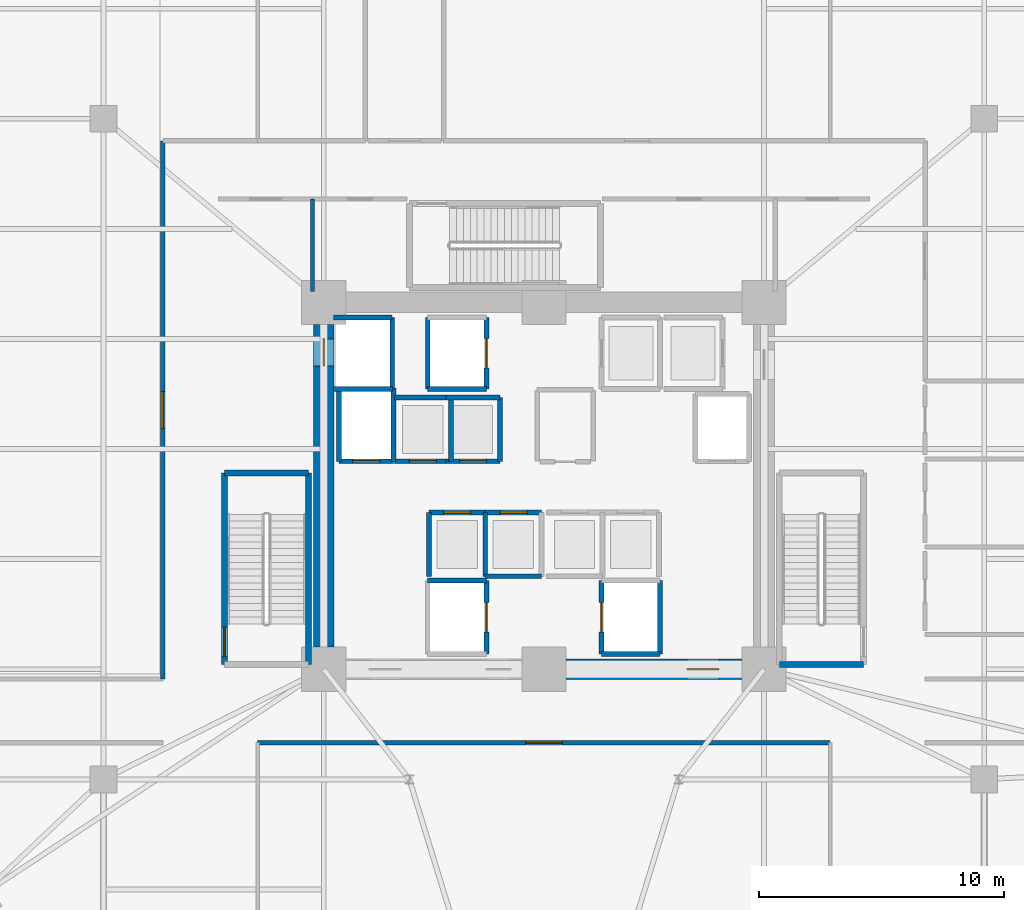
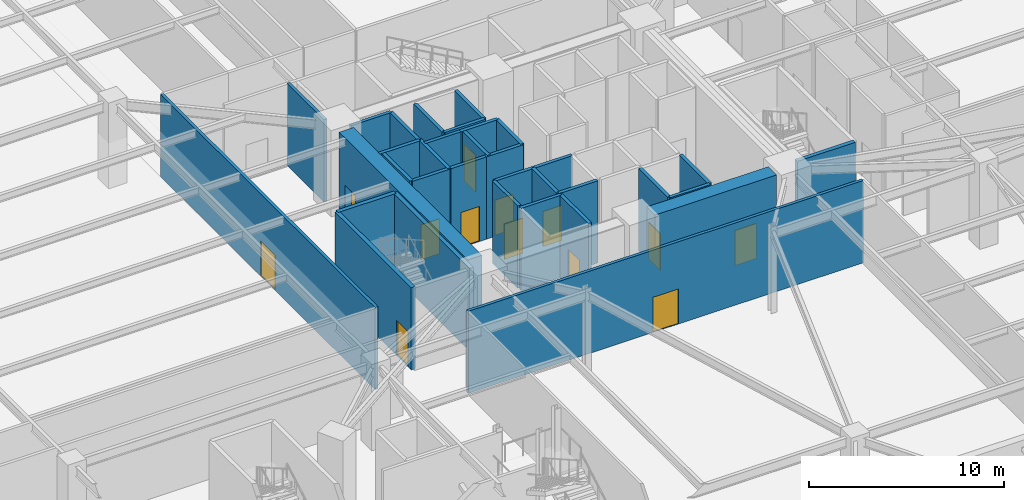
# One storey, part 18 of 30: 34 walls, 13 doors, 13 openings.
"""IFC4 building model written with IfcOpenShell, lengths in metres."""

import ifcopenshell
import ifcopenshell.guid

model = None  # the IFC model being written
_history = None  # IfcOwnerHistory: only IFC2X3 demands one
_inside = {}  # id of a spatial element -> (the spatial element, [elements in it])
_under = {}  # id of a project, library or spatial element -> (it, [spatial elements below it])
_declared = {}  # id of a project -> (the project, [libraries it declares])
_typed = {}  # id of a type object -> (the type object, [elements of that type])
_made_of = {}  # id of a material, layer set ... -> (it, [elements and type objects made of it])


def new_model(schema):
    """Start an empty IFC model of exactly this schema.

    Asked for "IFC4X3", IfcOpenShell would pick the latest addendum, in which some entities
    have other attributes; the version numbers below select the first issue.
    IFC2X3 requires an IfcOwnerHistory on every rooted entity: one is made here for all.
    """
    global model, _history
    if schema == "IFC4X3":
        model = ifcopenshell.file(schema_version=(4, 3, 0, 0))
    else:
        model = ifcopenshell.file(schema=schema)
    _inside.clear()
    _under.clear()
    _declared.clear()
    _typed.clear()
    _made_of.clear()
    _history = None
    if model.schema == "IFC2X3":
        org = make("IfcOrganization", Name="unknown")
        user = make(
            "IfcPersonAndOrganization",
            ThePerson=make("IfcPerson", FamilyName="unknown"),
            TheOrganization=org,
        )
        app = make(
            "IfcApplication",
            ApplicationDeveloper=org,
            Version="unknown",
            ApplicationFullName="unknown",
            ApplicationIdentifier="unknown",
        )
        _history = make(
            "IfcOwnerHistory",
            OwningUser=user,
            OwningApplication=app,
            ChangeAction="ADDED",
            CreationDate=0,
        )
    return model


def make(cls, **values):
    """One entity of the class cls with the attributes given. An attribute that is None is left unset."""
    return model.create_entity(
        cls, **{name: value for name, value in values.items() if value is not None}
    )


def rooted(cls, **values):
    """An entity with a GlobalId (a new one), such as an element, a storey or a relation."""
    return make(cls, GlobalId=ifcopenshell.guid.new(), OwnerHistory=_history, **values)


def si_unit(unit_type, name, prefix=None):
    """IfcSIUnit, for example si_unit("LENGTHUNIT", "METRE", prefix="MILLI")."""
    return make("IfcSIUnit", UnitType=unit_type, Prefix=prefix, Name=name)


def assignment(units):
    """IfcUnitAssignment: the units of a project."""
    return None if units is None else make("IfcUnitAssignment", Units=units)


def point(xyz):
    """IfcCartesianPoint."""
    return None if xyz is None else make("IfcCartesianPoint", Coordinates=xyz)


def direction(xyz):
    """IfcDirection."""
    return None if xyz is None else make("IfcDirection", DirectionRatios=xyz)


def frame(location, z_axis=None, x_axis=None):
    """IfcAxis2Placement3D, a coordinate frame: its origin and axes. An axis left out is left unset."""
    return make(
        "IfcAxis2Placement3D",
        Location=point(location),
        Axis=direction(z_axis),
        RefDirection=direction(x_axis),
    )


def frame_2d(location, x_axis=None):
    """IfcAxis2Placement2D, a coordinate frame in the plane: its origin and x axis."""
    return make(
        "IfcAxis2Placement2D", Location=point(location), RefDirection=direction(x_axis)
    )


def origin():
    """The frame at (0, 0, 0) with its axes left unset."""
    return frame((0.0, 0.0, 0.0))


def place(relative_to, where):
    """IfcLocalPlacement: puts the frame where relative to a parent placement (None: the world)."""
    return make(
        "IfcLocalPlacement", PlacementRelTo=relative_to, RelativePlacement=where
    )


def context(
    kind, dimensions, precision=None, world=None, true_north=None, identifier=None
):
    """IfcGeometricRepresentationContext, for example the 3D "Model" context."""
    return make(
        "IfcGeometricRepresentationContext",
        ContextIdentifier=identifier,
        ContextType=kind,
        CoordinateSpaceDimension=dimensions,
        Precision=precision,
        WorldCoordinateSystem=world,
        TrueNorth=true_north,
    )


def subcontext(parent, identifier, kind, view, scale=None):
    """IfcGeometricRepresentationSubContext, for example "Body" below "Model"."""
    return make(
        "IfcGeometricRepresentationSubContext",
        ContextIdentifier=identifier,
        ContextType=kind,
        ParentContext=parent,
        TargetScale=scale,
        TargetView=view,
    )


def project(units=None, contexts=None):
    """IfcProject with its units and contexts."""
    return rooted(
        "IfcProject",
        Name="project",
        RepresentationContexts=contexts,
        UnitsInContext=assignment(units),
    )


def spatial(cls, under=None, at=None, **own):
    """A site, building, storey or space (cls), placed at a placement, below another one or the project."""
    s = rooted(cls, ObjectPlacement=at, **own)
    if under is not None:
        _under.setdefault(under.id(), (under, []))[1].append(s)
    return s


def profile(cls, at=None, kind="AREA", **sizes):
    """A parametric profile (cls). Its sizes go by their IFC names, for example OverallWidth=200.0."""
    return make(cls, ProfileType=kind, Position=at, **sizes)


def rectangle(**sizes):
    """IfcRectangleProfileDef."""
    return profile("IfcRectangleProfileDef", **sizes)


def extrude(swept, where, along, depth):
    """IfcExtrudedAreaSolid: the profile swept, set in the frame where, extruded along a direction by depth."""
    return make(
        "IfcExtrudedAreaSolid",
        SweptArea=swept,
        Position=where,
        ExtrudedDirection=direction(along),
        Depth=depth,
    )


def shape(context_of_items, identifier, shape_type, items):
    """IfcShapeRepresentation: the items that make up one representation, for example the "Body"."""
    return make(
        "IfcShapeRepresentation",
        ContextOfItems=context_of_items,
        RepresentationIdentifier=identifier,
        RepresentationType=shape_type,
        Items=items,
    )


def source(mapping_origin, context_of_items, identifier, shape_type, items):
    """IfcRepresentationMap: a shape defined once, which mapped items show again and again."""
    return make(
        "IfcRepresentationMap",
        MappingOrigin=mapping_origin,
        MappedRepresentation=shape(context_of_items, identifier, shape_type, items),
    )


def transform(
    local_origin,
    x_axis=None,
    y_axis=None,
    z_axis=None,
    scale=None,
    scale2=None,
    scale3=None,
    uniform=True,
):
    """IfcCartesianTransformationOperator3D, or its non-uniform kind. x_axis, y_axis, z_axis: its Axis1, 2, 3."""
    if uniform:
        return make(
            "IfcCartesianTransformationOperator3D",
            Axis1=direction(x_axis),
            Axis2=direction(y_axis),
            LocalOrigin=point(local_origin),
            Scale=scale,
            Axis3=direction(z_axis),
        )
    return make(
        "IfcCartesianTransformationOperator3DnonUniform",
        Axis1=direction(x_axis),
        Axis2=direction(y_axis),
        LocalOrigin=point(local_origin),
        Scale=scale,
        Axis3=direction(z_axis),
        Scale2=scale2,
        Scale3=scale3,
    )


def mapped(mapping_source, mapping_target):
    """IfcMappedItem: shows the shape of a source again, moved by a transform."""
    return make(
        "IfcMappedItem", MappingSource=mapping_source, MappingTarget=mapping_target
    )


def material(Name=None, Category=None):
    """IfcMaterial."""
    return make("IfcMaterial", Name=Name, Category=Category)


def layer(
    of_material, thickness, ventilated=None, Name=None, Category=None, Priority=None
):
    """IfcMaterialLayer: one layer of a wall or slab, of a material (None: an air gap)."""
    return make(
        "IfcMaterialLayer",
        Material=of_material,
        LayerThickness=thickness,
        IsVentilated=ventilated,
        Name=Name,
        Category=Category,
        Priority=Priority,
    )


def layer_set(layers, Name=None):
    """IfcMaterialLayerSet."""
    return make("IfcMaterialLayerSet", MaterialLayers=layers, LayerSetName=Name)


def made_of(thing, what):
    """Note that an element or type object is made of a material, layer set ...; save() writes the relation."""
    if what is not None:
        _made_of.setdefault(what.id(), (what, []))[1].append(thing)
    return thing


def type_object(cls, material=None, **own):
    """A type object (cls), such as IfcWallType, which elements share."""
    return made_of(rooted(cls, **own), material)


def element(
    cls,
    number,
    at=None,
    inside=None,
    cuts=None,
    type_object=None,
    material=None,
    context=None,
    identifier="Body",
    shape_type=None,
    held_by="IfcProductDefinitionShape",
    body=None,
    shapes=None,
    **own,
):
    """One element of the class cls, such as IfcWall. Its Tag is "e" and its number.

    at: its placement. inside: the storey or other place that contains it. cuts: it is an
    opening in that element (IfcRelVoidsElement). A single representation is given by context,
    identifier, shape_type and body (its items); several are given by shapes. held_by: the class
    of the entity that holds the representations. save() writes the other relations.
    """
    e = rooted(cls, Tag="e%d" % number, ObjectPlacement=at, **own)
    if body is not None:
        shapes = [shape(context, identifier, shape_type, body)]
    if shapes is not None:
        e.Representation = make(held_by, Representations=shapes)
    if inside is not None:
        _inside.setdefault(inside.id(), (inside, []))[1].append(e)
    if cuts is not None:
        rooted(
            "IfcRelVoidsElement", RelatingBuildingElement=cuts, RelatedOpeningElement=e
        )
    if type_object is not None:
        _typed.setdefault(type_object.id(), (type_object, []))[1].append(e)
    return made_of(e, material)


def fill(opening, filler):
    """IfcRelFillsElement: the door or window that sits in an opening."""
    return rooted(
        "IfcRelFillsElement",
        RelatingOpeningElement=opening,
        RelatedBuildingElement=filler,
    )


def aggregate(whole, parts):
    """IfcRelAggregates: a whole, such as a stair, and the parts it consists of."""
    return rooted("IfcRelAggregates", RelatingObject=whole, RelatedObjects=parts)


def save(model, path):
    """Write the relations noted so far, then the file.

    IfcRelAggregates (storeys below a building ...), IfcRelContainedInSpatialStructure (elements
    in a storey), IfcRelDefinesByType, IfcRelAssociatesMaterial and IfcRelDeclares: one each for
    every whole, place, type object, material and project.
    """
    for whole, parts in _under.values():
        aggregate(whole, parts)
    for where, things in _inside.values():
        rooted(
            "IfcRelContainedInSpatialStructure",
            RelatedElements=things,
            RelatingStructure=where,
        )
    for kind, things in _typed.values():
        rooted("IfcRelDefinesByType", RelatedObjects=things, RelatingType=kind)
    for what, things in _made_of.values():
        rooted("IfcRelAssociatesMaterial", RelatedObjects=things, RelatingMaterial=what)
    for by, libraries in _declared.values():
        rooted("IfcRelDeclares", RelatingContext=by, RelatedDefinitions=libraries)
    model.write(path)


model = new_model("IFC4")

# Units and contexts
model_context = context("Model", 3, precision=1e-05, world=origin(), true_north=direction((0.0, 1.0)))
body_context = subcontext(model_context, "Body", "Model", "MODEL_VIEW")
ifc_project = project(units=[si_unit("LENGTHUNIT", "METRE"), si_unit("AREAUNIT", "SQUARE_METRE"), si_unit("VOLUMEUNIT", "CUBIC_METRE"), si_unit("PLANEANGLEUNIT", "RADIAN"), si_unit("MASSUNIT", "GRAM", prefix="KILO")], contexts=[model_context])

# Site, building, storey
site_placement = place(None, origin())
site = spatial("IfcSite", under=ifc_project, at=site_placement, CompositionType="ELEMENT")
building_placement = place(site_placement, origin())
building = spatial("IfcBuilding", under=site, at=building_placement, Name="Liaohun Quay Tower", CompositionType="ELEMENT")
storey_placement = place(building_placement, origin())
storey = spatial("IfcBuildingStorey", under=building, at=storey_placement, Name="L01", CompositionType="ELEMENT", Elevation=0.0)

# Wall, opening, door
ifc_material_1 = material(Name="Concrete C60", Category="concrete")
ifc_layer_1 = layer(ifc_material_1, 0.85009765625, Name="Concrete C60", Category="concrete")
ifc_layer_set_1 = layer_set([ifc_layer_1], Name="Concrete C60")
wall_type_1 = type_object("IfcWallType", Name="WAL-COR-Z1", PredefinedType="SHEAR", material=ifc_layer_set_1)
wall_1_placement = place(storey_placement, frame((68.10009765625, 46.5, 0.0), z_axis=(0.0, 0.0, 1.0), x_axis=(-1.0, 0.0, 0.0)))
wall_1 = element("IfcWall", 1, at=wall_1_placement, inside=storey, type_object=wall_type_1, Name="L01 Central Core Shear Wall S-E", PredefinedType="SHEAR", context=body_context, shape_type="SweptSolid", body=[
    extrude(rectangle(XDim=7.2001953125, YDim=0.85009765625, at=frame_2d((3.60009765625, 0.0))), origin(), (0.0, 0.0, 1.0), 5.14990234375),
])
shared_shape_1 = source(origin(), body_context, "Body", "SweptSolid", [
    extrude(rectangle(XDim=1.300048828125, YDim=2.199951171875, at=frame_2d((0.64990234375, 1.10009765625))), frame((0.0, 0.43505859375, 0.0), z_axis=(0.0, -1.0, 0.0), x_axis=(1.0, 0.0, 0.0)), (0.0, 0.0, 1.0), 0.8701171875),
])
opening_1_placement = place(wall_1_placement, frame((0.949951171875, 0.0, 0.0)))
opening_1 = element("IfcOpeningElement", 2, at=opening_1_placement, cuts=wall_1, Name="Opening FD1", PredefinedType="OPENING", context=body_context, shape_type="MappedRepresentation", body=[
    mapped(shared_shape_1, transform((0.0, 0.0, 0.0), x_axis=(1.0, 0.0, 0.0), y_axis=(0.0, 1.0, 0.0), z_axis=(0.0, 0.0, 1.0), scale=1.0)),
])
ifc_material_2 = material(Name="Galvanised steel smokeproof fire door", Category="steel")
door_type_1 = type_object("IfcDoorType", Name="DOR-FFL-1300", OperationType="NOTDEFINED", PredefinedType="DOOR", material=ifc_material_2)
shared_shape_2 = source(origin(), body_context, "Body", "SweptSolid", [
    extrude(rectangle(XDim=1.300048828125, YDim=2.199951171875, at=frame_2d((0.64990234375, 1.10009765625))), frame((0.0, 0.02490234375, 0.0), z_axis=(0.0, -1.0, 0.0), x_axis=(1.0, 0.0, 0.0)), (0.0, 0.0, 1.0), 0.050048828125),
])
door_1_placement = place(opening_1_placement, origin())
door_1 = element("IfcDoor", 3, at=door_1_placement, inside=storey, type_object=door_type_1, Name="L01 East Core Lift Lobby Smokeproof Door", OperationType="SINGLE_SWING_LEFT", OverallHeight=2.199951171875, OverallWidth=1.300048828125, PredefinedType="DOOR", context=body_context, shape_type="MappedRepresentation", body=[
    mapped(shared_shape_2, transform((0.0, 0.0, 0.0), x_axis=(1.0, 0.0, 0.0), y_axis=(0.0, 1.0, 0.0), z_axis=(0.0, 0.0, 1.0), scale=1.0)),
])
fill(opening_1, door_1)

wall_2_placement = place(storey_placement, frame((51.0, 47.39990234375, 0.0), z_axis=(0.0, 0.0, 1.0), x_axis=(0.0, 1.0, 0.0)))
wall_2 = element("IfcWall", 4, at=wall_2_placement, inside=storey, type_object=wall_type_1, Name="L01 Central Core Shear Wall W", PredefinedType="SHEAR", context=body_context, shape_type="SweptSolid", body=[
    extrude(rectangle(XDim=13.2001953125, YDim=0.85009765625, at=frame_2d((6.60009765625, 0.0))), origin(), (0.0, 0.0, 1.0), 5.14990234375),
])
shared_shape_3 = source(origin(), body_context, "Body", "SweptSolid", [
    extrude(rectangle(XDim=1.10009765625, YDim=2.199951171875, at=frame_2d((0.550048828125, 1.10009765625))), frame((0.0, 0.43505859375, 0.0), z_axis=(0.0, -1.0, 0.0), x_axis=(1.0, 0.0, 0.0)), (0.0, 0.0, 1.0), 0.8701171875),
])
opening_2_placement = place(wall_2_placement, frame((11.5, 0.0, 0.0)))
opening_2 = element("IfcOpeningElement", 5, at=opening_2_placement, cuts=wall_2, Name="Opening LD1", PredefinedType="OPENING", context=body_context, shape_type="MappedRepresentation", body=[
    mapped(shared_shape_3, transform((0.0, 0.0, 0.0), x_axis=(1.0, 0.0, 0.0), y_axis=(0.0, 1.0, 0.0), z_axis=(0.0, 0.0, 1.0), scale=1.0)),
])
ifc_material_3 = material(Name="Brushed stainless steel landing door", Category="steel")
door_type_2 = type_object("IfcDoorType", Name="DOR-LFT-1100", OperationType="SLIDING_TO_LEFT", PredefinedType="DOOR", material=ifc_material_3)
shared_shape_4 = source(origin(), body_context, "Body", "SweptSolid", [
    extrude(rectangle(XDim=1.10009765625, YDim=2.199951171875, at=frame_2d((0.550048828125, 1.10009765625))), frame((0.0, 0.02490234375, 0.0), z_axis=(0.0, -1.0, 0.0), x_axis=(1.0, 0.0, 0.0)), (0.0, 0.0, 1.0), 0.050048828125),
])
door_2_placement = place(opening_2_placement, origin())
door_2 = element("IfcDoor", 6, at=door_2_placement, inside=storey, type_object=door_type_2, Name="L01 Lift SH-01 Sliding Landing Door", OperationType="SLIDING_TO_LEFT", OverallHeight=2.199951171875, OverallWidth=1.10009765625, PredefinedType="DOOR", context=body_context, shape_type="MappedRepresentation", body=[
    mapped(shared_shape_4, transform((0.0, 0.0, 0.0), x_axis=(1.0, 0.0, 0.0), y_axis=(0.0, 1.0, 0.0), z_axis=(0.0, 0.0, 1.0), scale=1.0)),
])
fill(opening_2, door_2)

ifc_material_4 = material(Name="Autoclaved aerated concrete blockwork", Category="masonry")
ifc_layer_2 = layer(ifc_material_4, 0.179931640625, Name="Autoclaved aerated concrete blockwork", Category="masonry")
ifc_layer_set_2 = layer_set([ifc_layer_2], Name="Autoclaved aerated concrete blockwork")
wall_type_2 = type_object("IfcWallType", Name="WAL-PRT-COR", PredefinedType="PARTITIONING", material=ifc_layer_set_2)
wall_3_placement = place(storey_placement, frame((48.300048828125, 43.5, 0.0), z_axis=(0.0, 0.0, 1.0), x_axis=(1.0, 0.0, 0.0)))
wall_3 = element("IfcWall", 7, at=wall_3_placement, inside=storey, type_object=wall_type_2, Name="L01 Interior Partition Wall 010", PredefinedType="PARTITIONING", context=body_context, shape_type="SweptSolid", body=[
    extrude(rectangle(XDim=23.39990234375, YDim=0.179931640625, at=frame_2d((11.699951171875, 0.0))), origin(), (0.0, 0.0, 1.0), 5.14990234375),
])
shared_shape_5 = source(origin(), body_context, "Body", "SweptSolid", [
    extrude(rectangle(XDim=1.5, YDim=2.199951171875, at=frame_2d((0.75, 1.10009765625))), frame((0.0, 0.099853515625, 0.0), z_axis=(0.0, -1.0, 0.0), x_axis=(1.0, 0.0, 0.0)), (0.0, 0.0, 1.0), 0.199951171875),
])
opening_3_placement = place(wall_3_placement, frame((10.949951171875, 0.0, 0.0)))
opening_3 = element("IfcOpeningElement", 8, at=opening_3_placement, cuts=wall_3, Name="Opening OD2", PredefinedType="OPENING", context=body_context, shape_type="MappedRepresentation", body=[
    mapped(shared_shape_5, transform((0.0, 0.0, 0.0), x_axis=(1.0, 0.0, 0.0), y_axis=(0.0, 1.0, 0.0), z_axis=(0.0, 0.0, 1.0), scale=1.0)),
])
ifc_material_5 = material(Name="Acoustic oak veneer double door")
door_type_3 = type_object("IfcDoorType", Name="DOR-OFF-1500", OperationType="DOUBLE_DOOR_SINGLE_SWING", PredefinedType="DOOR", material=ifc_material_5)
shared_shape_6 = source(origin(), body_context, "Body", "SweptSolid", [
    extrude(rectangle(XDim=1.5, YDim=2.199951171875, at=frame_2d((0.75, 1.10009765625))), frame((0.0, 0.02490234375, 0.0), z_axis=(0.0, -1.0, 0.0), x_axis=(1.0, 0.0, 0.0)), (0.0, 0.0, 1.0), 0.050048828125),
])
door_3_placement = place(opening_3_placement, origin())
door_3 = element("IfcDoor", 9, at=door_3_placement, inside=storey, type_object=door_type_3, Name="L01 Grand Waterfront Entrance Hall Door", OperationType="DOUBLE_DOOR_SINGLE_SWING", OverallHeight=2.199951171875, OverallWidth=1.5, PredefinedType="DOOR", context=body_context, shape_type="MappedRepresentation", body=[
    mapped(shared_shape_6, transform((0.0, 0.0, 0.0), x_axis=(1.0, 0.0, 0.0), y_axis=(0.0, 1.0, 0.0), z_axis=(0.0, 0.0, 1.0), scale=1.0)),
])
fill(opening_3, door_3)

wall_4_placement = place(storey_placement, frame((44.419921875, 46.10009765625, 0.0), z_axis=(0.0, 0.0, 1.0), x_axis=(0.0, 1.0, 0.0)))
wall_4 = element("IfcWall", 10, at=wall_4_placement, inside=storey, type_object=wall_type_2, Name="L01 Interior Partition Wall 013", PredefinedType="PARTITIONING", context=body_context, shape_type="SweptSolid", body=[
    extrude(rectangle(XDim=22.0, YDim=0.179931640625, at=frame_2d((11.0, 0.0))), origin(), (0.0, 0.0, 1.0), 5.14990234375),
])
opening_4_placement = place(wall_4_placement, frame((10.25, 0.0, 0.0)))
opening_4 = element("IfcOpeningElement", 11, at=opening_4_placement, cuts=wall_4, Name="Opening OD2", PredefinedType="OPENING", context=body_context, shape_type="MappedRepresentation", body=[
    mapped(shared_shape_5, transform((0.0, 0.0, 0.0), x_axis=(1.0, 0.0, 0.0), y_axis=(0.0, 1.0, 0.0), z_axis=(0.0, 0.0, 1.0), scale=1.0)),
])
door_4_placement = place(opening_4_placement, origin())
door_4 = element("IfcDoor", 12, at=door_4_placement, inside=storey, type_object=door_type_3, Name="L01 Shenyang Maritime Exhibition Gallery Door", OperationType="DOUBLE_DOOR_SINGLE_SWING", OverallHeight=2.199951171875, OverallWidth=1.5, PredefinedType="DOOR", context=body_context, shape_type="MappedRepresentation", body=[
    mapped(shared_shape_6, transform((0.0, 0.0, 0.0), x_axis=(1.0, 0.0, 0.0), y_axis=(0.0, 1.0, 0.0), z_axis=(0.0, 0.0, 1.0), scale=1.0)),
])
fill(opening_4, door_4)

# Walls
wall_5_placement = place(storey_placement, frame((50.5400390625, 61.949951171875, 0.0), z_axis=(0.0, 0.0, 1.0), x_axis=(0.0, 1.0, 0.0)))
element("IfcWall", 13, at=wall_5_placement, inside=storey, type_object=wall_type_2, Name="L01 Interior Partition Wall 045", PredefinedType="PARTITIONING", context=body_context, shape_type="SweptSolid", body=[
    extrude(rectangle(XDim=3.77001953125, YDim=0.179931640625, at=frame_2d((1.885009765625, 0.0))), origin(), (0.0, 0.0, 1.0), 5.14990234375),
])
ifc_material_6 = material(Name="Concrete C50", Category="concrete")
ifc_layer_3 = layer(ifc_material_6, 0.239990234375, Name="Concrete C50", Category="concrete")
ifc_layer_set_3 = layer_set([ifc_layer_3], Name="Concrete C50")
wall_type_3 = type_object("IfcWallType", Name="WAL-SHF-200", PredefinedType="SOLIDWALL", material=ifc_layer_set_3)
wall_6_placement = place(storey_placement, frame((50.3798828125, 46.699951171875, 0.0), z_axis=(0.0, 0.0, 1.0), x_axis=(0.0, 1.0, 0.0)))
element("IfcWall", 14, at=wall_6_placement, inside=storey, type_object=wall_type_3, Name="L01 Stairwell ST-1 Structural Core Wall E", PredefinedType="SOLIDWALL", context=body_context, shape_type="SweptSolid", body=[
    extrude(rectangle(XDim=7.820068359375, YDim=0.239990234375, at=frame_2d((3.91015625, 0.0))), origin(), (0.0, 0.0, 1.0), 5.14990234375),
])
wall_7_placement = place(storey_placement, frame((50.3798828125, 54.52001953125, 0.0), z_axis=(0.0, 0.0, 1.0), x_axis=(-1.0, 0.0, 0.0)))
element("IfcWall", 15, at=wall_7_placement, inside=storey, type_object=wall_type_3, Name="L01 Stairwell ST-1 Structural Core Wall N", PredefinedType="SOLIDWALL", context=body_context, shape_type="SweptSolid", body=[
    extrude(rectangle(XDim=3.43994140625, YDim=0.239990234375, at=frame_2d((1.719970703125, 0.0))), origin(), (0.0, 0.0, 1.0), 5.14990234375),
])

# Wall, opening, door
wall_8_placement = place(storey_placement, frame((46.93994140625, 54.52001953125, 0.0), z_axis=(0.0, 0.0, 1.0), x_axis=(0.0, -1.0, 0.0)))
wall_8 = element("IfcWall", 16, at=wall_8_placement, inside=storey, type_object=wall_type_3, Name="L01 Stairwell ST-1 Structural Core Wall W", PredefinedType="SOLIDWALL", context=body_context, shape_type="SweptSolid", body=[
    extrude(rectangle(XDim=7.820068359375, YDim=0.239990234375, at=frame_2d((3.91015625, 0.0))), origin(), (0.0, 0.0, 1.0), 5.14990234375),
])
shared_shape_7 = source(origin(), body_context, "Body", "SweptSolid", [
    extrude(rectangle(XDim=1.199951171875, YDim=2.199951171875, at=frame_2d((0.60009765625, 1.10009765625))), frame((0.0, 0.1298828125, 0.0), z_axis=(0.0, -1.0, 0.0), x_axis=(1.0, 0.0, 0.0)), (0.0, 0.0, 1.0), 0.260009765625),
])
opening_5_placement = place(wall_8_placement, frame((6.300048828125, 0.0, 0.0)))
opening_5 = element("IfcOpeningElement", 17, at=opening_5_placement, cuts=wall_8, Name="Opening SD1", PredefinedType="OPENING", context=body_context, shape_type="MappedRepresentation", body=[
    mapped(shared_shape_7, transform((0.0, 0.0, 0.0), x_axis=(1.0, 0.0, 0.0), y_axis=(0.0, 1.0, 0.0), z_axis=(0.0, 0.0, 1.0), scale=1.0)),
])
ifc_material_7 = material(Name="Galvanised steel fire door", Category="steel")
door_type_4 = type_object("IfcDoorType", Name="DOR-STR-1200", OperationType="NOTDEFINED", PredefinedType="DOOR", material=ifc_material_7)
shared_shape_8 = source(origin(), body_context, "Body", "SweptSolid", [
    extrude(rectangle(XDim=1.199951171875, YDim=2.199951171875, at=frame_2d((0.60009765625, 1.10009765625))), frame((0.0, 0.02490234375, 0.0), z_axis=(0.0, -1.0, 0.0), x_axis=(1.0, 0.0, 0.0)), (0.0, 0.0, 1.0), 0.050048828125),
])
door_5_placement = place(opening_5_placement, origin())
door_5 = element("IfcDoor", 18, at=door_5_placement, inside=storey, type_object=door_type_4, Name="L01 Protected Stair ST-1 Fire Door", OperationType="SINGLE_SWING_LEFT", OverallHeight=2.199951171875, OverallWidth=1.199951171875, PredefinedType="DOOR", context=body_context, shape_type="MappedRepresentation", body=[
    mapped(shared_shape_8, transform((0.0, 0.0, 0.0), x_axis=(1.0, 0.0, 0.0), y_axis=(0.0, 1.0, 0.0), z_axis=(0.0, 0.0, 1.0), scale=1.0)),
])
fill(opening_5, door_5)

# Wall
wall_9_placement = place(storey_placement, frame((69.6201171875, 46.699951171875, 0.0), z_axis=(0.0, 0.0, 1.0), x_axis=(1.0, 0.0, 0.0)))
element("IfcWall", 19, at=wall_9_placement, inside=storey, type_object=wall_type_3, Name="L01 Stairwell ST-2 Structural Core Wall S", PredefinedType="SOLIDWALL", context=body_context, shape_type="SweptSolid", body=[
    extrude(rectangle(XDim=3.43994140625, YDim=0.239990234375, at=frame_2d((1.719970703125, 0.0))), origin(), (0.0, 0.0, 1.0), 5.14990234375),
])

# Wall, opening, door
wall_10_placement = place(storey_placement, frame((57.64990234375, 47.1201171875, 0.0), z_axis=(0.0, 0.0, 1.0), x_axis=(0.0, 1.0, 0.0)))
wall_10 = element("IfcWall", 20, at=wall_10_placement, inside=storey, type_object=wall_type_3, Name="L01 Lift FF-01 Hoistway Wall E", PredefinedType="SOLIDWALL", context=body_context, shape_type="SweptSolid", body=[
    extrude(rectangle(XDim=3.0, YDim=0.199951171875, at=frame_2d((1.5, 0.0))), origin(), (0.0, 0.0, 1.0), 5.14990234375),
])
shared_shape_9 = source(origin(), body_context, "Body", "SweptSolid", [
    extrude(rectangle(XDim=1.199951171875, YDim=2.300048828125, at=frame_2d((0.60009765625, 1.14990234375))), frame((0.0, 0.10986328125, 0.0), z_axis=(0.0, -1.0, 0.0), x_axis=(1.0, 0.0, 0.0)), (0.0, 0.0, 1.0), 0.219970703125),
])
opening_6_placement = place(wall_10_placement, frame((0.89990234375, 0.0, 0.0)))
opening_6 = element("IfcOpeningElement", 21, at=opening_6_placement, cuts=wall_10, Name="Opening LD2", PredefinedType="OPENING", context=body_context, shape_type="MappedRepresentation", body=[
    mapped(shared_shape_9, transform((0.0, 0.0, 0.0), x_axis=(1.0, 0.0, 0.0), y_axis=(0.0, 1.0, 0.0), z_axis=(0.0, 0.0, 1.0), scale=1.0)),
])
ifc_material_8 = material(Name="Brushed stainless steel stretcher landing door", Category="steel")
door_type_5 = type_object("IfcDoorType", Name="DOR-LFT-1200", OperationType="SLIDING_TO_LEFT", PredefinedType="DOOR", material=ifc_material_8)
shared_shape_10 = source(origin(), body_context, "Body", "SweptSolid", [
    extrude(rectangle(XDim=1.199951171875, YDim=2.300048828125, at=frame_2d((0.60009765625, 1.14990234375))), frame((0.0, 0.02490234375, 0.0), z_axis=(0.0, -1.0, 0.0), x_axis=(1.0, 0.0, 0.0)), (0.0, 0.0, 1.0), 0.050048828125),
])
door_6_placement = place(opening_6_placement, origin())
door_6 = element("IfcDoor", 22, at=door_6_placement, inside=storey, type_object=door_type_5, Name="L01 Lift FF-01 Sliding Landing Door", OperationType="SLIDING_TO_LEFT", OverallHeight=2.300048828125, OverallWidth=1.199951171875, PredefinedType="DOOR", context=body_context, shape_type="MappedRepresentation", body=[
    mapped(shared_shape_10, transform((0.0, 0.0, 0.0), x_axis=(1.0, 0.0, 0.0), y_axis=(0.0, 1.0, 0.0), z_axis=(0.0, 0.0, 1.0), scale=1.0)),
])
fill(opening_6, door_6)

# Walls
for number, where, z_axis, x_axis, name in (
    (23, (57.64990234375, 50.1201171875, 0.0), (0.0, 0.0, 1.0), (-1.0, 0.0, 0.0), "L01 Lift FF-01 Hoistway Wall N"),
    (24, (62.35009765625, 47.1201171875, 0.0), (0.0, 0.0, 1.0), (1.0, 0.0, 0.0), "L01 Lift FF-02 Hoistway Wall S"),
):
    element("IfcWall", number, at=place(storey_placement, frame(where, z_axis=z_axis, x_axis=x_axis)), inside=storey, type_object=wall_type_3, Name=name, PredefinedType="SOLIDWALL", context=body_context, shape_type="SweptSolid", body=[
        extrude(rectangle(XDim=2.39990234375, YDim=0.199951171875, at=frame_2d((1.199951171875, 0.0))), origin(), (0.0, 0.0, 1.0), 5.14990234375),
    ])
wall_11_placement = place(storey_placement, frame((64.75, 47.1201171875, 0.0), z_axis=(0.0, 0.0, 1.0), x_axis=(0.0, 1.0, 0.0)))
element("IfcWall", 25, at=wall_11_placement, inside=storey, type_object=wall_type_3, Name="L01 Lift FF-02 Hoistway Wall E", PredefinedType="SOLIDWALL", context=body_context, shape_type="SweptSolid", body=[
    extrude(rectangle(XDim=3.0, YDim=0.199951171875, at=frame_2d((1.5, 0.0))), origin(), (0.0, 0.0, 1.0), 5.14990234375),
])

# Wall, opening, door
wall_12_placement = place(storey_placement, frame((62.35009765625, 50.1201171875, 0.0), z_axis=(0.0, 0.0, 1.0), x_axis=(0.0, -1.0, 0.0)))
wall_12 = element("IfcWall", 26, at=wall_12_placement, inside=storey, type_object=wall_type_3, Name="L01 Lift FF-02 Hoistway Wall W", PredefinedType="SOLIDWALL", context=body_context, shape_type="SweptSolid", body=[
    extrude(rectangle(XDim=3.0, YDim=0.199951171875, at=frame_2d((1.5, 0.0))), origin(), (0.0, 0.0, 1.0), 5.14990234375),
])
opening_7_placement = place(wall_12_placement, frame((0.89990234375, 0.0, 0.0)))
opening_7 = element("IfcOpeningElement", 27, at=opening_7_placement, cuts=wall_12, Name="Opening LD2", PredefinedType="OPENING", context=body_context, shape_type="MappedRepresentation", body=[
    mapped(shared_shape_9, transform((0.0, 0.0, 0.0), x_axis=(1.0, 0.0, 0.0), y_axis=(0.0, 1.0, 0.0), z_axis=(0.0, 0.0, 1.0), scale=1.0)),
])
door_7_placement = place(opening_7_placement, origin())
door_7 = element("IfcDoor", 28, at=door_7_placement, inside=storey, type_object=door_type_5, Name="L01 Lift FF-02 Sliding Landing Door", OperationType="SLIDING_TO_LEFT", OverallHeight=2.300048828125, OverallWidth=1.199951171875, PredefinedType="DOOR", context=body_context, shape_type="MappedRepresentation", body=[
    mapped(shared_shape_10, transform((0.0, 0.0, 0.0), x_axis=(1.0, 0.0, 0.0), y_axis=(0.0, 1.0, 0.0), z_axis=(0.0, 0.0, 1.0), scale=1.0)),
])
fill(opening_7, door_7)

# Wall
wall_13_placement = place(storey_placement, frame((55.25, 57.949951171875, 0.0), z_axis=(0.0, 0.0, 1.0), x_axis=(1.0, 0.0, 0.0)))
element("IfcWall", 29, at=wall_13_placement, inside=storey, type_object=wall_type_3, Name="L01 Lift FF-03 Hoistway Wall S", PredefinedType="SOLIDWALL", context=body_context, shape_type="SweptSolid", body=[
    extrude(rectangle(XDim=2.39990234375, YDim=0.199951171875, at=frame_2d((1.199951171875, 0.0))), origin(), (0.0, 0.0, 1.0), 5.14990234375),
])

# Wall, opening, door
wall_14_placement = place(storey_placement, frame((57.64990234375, 57.949951171875, 0.0), z_axis=(0.0, 0.0, 1.0), x_axis=(0.0, 1.0, 0.0)))
wall_14 = element("IfcWall", 30, at=wall_14_placement, inside=storey, type_object=wall_type_3, Name="L01 Lift FF-03 Hoistway Wall E", PredefinedType="SOLIDWALL", context=body_context, shape_type="SweptSolid", body=[
    extrude(rectangle(XDim=2.929931640625, YDim=0.199951171875, at=frame_2d((1.46484375, 0.0))), origin(), (0.0, 0.0, 1.0), 5.14990234375),
])
opening_8_placement = place(wall_14_placement, frame((0.864990234375, 0.0, 0.0)))
opening_8 = element("IfcOpeningElement", 31, at=opening_8_placement, cuts=wall_14, Name="Opening LD2", PredefinedType="OPENING", context=body_context, shape_type="MappedRepresentation", body=[
    mapped(shared_shape_9, transform((0.0, 0.0, 0.0), x_axis=(1.0, 0.0, 0.0), y_axis=(0.0, 1.0, 0.0), z_axis=(0.0, 0.0, 1.0), scale=1.0)),
])
door_8_placement = place(opening_8_placement, origin())
door_8 = element("IfcDoor", 32, at=door_8_placement, inside=storey, type_object=door_type_5, Name="L01 Lift FF-03 Sliding Landing Door", OperationType="SLIDING_TO_LEFT", OverallHeight=2.300048828125, OverallWidth=1.199951171875, PredefinedType="DOOR", context=body_context, shape_type="MappedRepresentation", body=[
    mapped(shared_shape_10, transform((0.0, 0.0, 0.0), x_axis=(1.0, 0.0, 0.0), y_axis=(0.0, 1.0, 0.0), z_axis=(0.0, 0.0, 1.0), scale=1.0)),
])
fill(opening_8, door_8)

# Walls
wall_15_placement = place(storey_placement, frame((55.25, 60.8798828125, 0.0), z_axis=(0.0, 0.0, 1.0), x_axis=(0.0, -1.0, 0.0)))
element("IfcWall", 33, at=wall_15_placement, inside=storey, type_object=wall_type_3, Name="L01 Lift FF-03 Hoistway Wall W", PredefinedType="SOLIDWALL", context=body_context, shape_type="SweptSolid", body=[
    extrude(rectangle(XDim=2.929931640625, YDim=0.199951171875, at=frame_2d((1.46484375, 0.0))), origin(), (0.0, 0.0, 1.0), 5.14990234375),
])
wall_16_placement = place(storey_placement, frame((51.39990234375, 57.949951171875, 0.0), z_axis=(0.0, 0.0, 1.0), x_axis=(1.0, 0.0, 0.0)))
element("IfcWall", 34, at=wall_16_placement, inside=storey, type_object=wall_type_3, Name="L01 Lift SH-01 Hoistway Wall S", PredefinedType="SOLIDWALL", context=body_context, shape_type="SweptSolid", body=[
    extrude(rectangle(XDim=2.400146484375, YDim=0.199951171875, at=frame_2d((1.2001953125, 0.0))), origin(), (0.0, 0.0, 1.0), 5.14990234375),
])
wall_17_placement = place(storey_placement, frame((53.800048828125, 57.949951171875, 0.0), z_axis=(0.0, 0.0, 1.0), x_axis=(0.0, 1.0, 0.0)))
element("IfcWall", 35, at=wall_17_placement, inside=storey, type_object=wall_type_3, Name="L01 Lift SH-01 Hoistway Wall E", PredefinedType="SOLIDWALL", context=body_context, shape_type="SweptSolid", body=[
    extrude(rectangle(XDim=2.929931640625, YDim=0.199951171875, at=frame_2d((1.46484375, 0.0))), origin(), (0.0, 0.0, 1.0), 5.14990234375),
])
wall_18_placement = place(storey_placement, frame((53.800048828125, 60.8798828125, 0.0), z_axis=(0.0, 0.0, 1.0), x_axis=(-1.0, 0.0, 0.0)))
element("IfcWall", 36, at=wall_18_placement, inside=storey, type_object=wall_type_3, Name="L01 Lift SH-01 Hoistway Wall N", PredefinedType="SOLIDWALL", context=body_context, shape_type="SweptSolid", body=[
    extrude(rectangle(XDim=2.400146484375, YDim=0.199951171875, at=frame_2d((1.2001953125, 0.0))), origin(), (0.0, 0.0, 1.0), 5.14990234375),
])

# Wall, opening, door
wall_19_placement = place(storey_placement, frame((51.6201171875, 55.0, 0.0), z_axis=(0.0, 0.0, 1.0), x_axis=(1.0, 0.0, 0.0)))
wall_19 = element("IfcWall", 37, at=wall_19_placement, inside=storey, type_object=wall_type_3, Name="L01 Lift SH-02 Hoistway Wall S", PredefinedType="SOLIDWALL", context=body_context, shape_type="SweptSolid", body=[
    extrude(rectangle(XDim=2.22998046875, YDim=0.199951171875, at=frame_2d((1.114990234375, 0.0))), origin(), (0.0, 0.0, 1.0), 5.14990234375),
])
shared_shape_11 = source(origin(), body_context, "Body", "SweptSolid", [
    extrude(rectangle(XDim=1.10009765625, YDim=2.199951171875, at=frame_2d((0.550048828125, 1.10009765625))), frame((0.0, 0.10986328125, 0.0), z_axis=(0.0, -1.0, 0.0), x_axis=(1.0, 0.0, 0.0)), (0.0, 0.0, 1.0), 0.219970703125),
])
opening_9_placement = place(wall_19_placement, frame((0.56494140625, 0.0, 0.0)))
opening_9 = element("IfcOpeningElement", 38, at=opening_9_placement, cuts=wall_19, Name="Opening LD1", PredefinedType="OPENING", context=body_context, shape_type="MappedRepresentation", body=[
    mapped(shared_shape_11, transform((0.0, 0.0, 0.0), x_axis=(1.0, 0.0, 0.0), y_axis=(0.0, 1.0, 0.0), z_axis=(0.0, 0.0, 1.0), scale=1.0)),
])
door_9_placement = place(opening_9_placement, origin())
door_9 = element("IfcDoor", 39, at=door_9_placement, inside=storey, type_object=door_type_2, Name="L01 Lift SH-02 Sliding Landing Door", OperationType="SLIDING_TO_LEFT", OverallHeight=2.199951171875, OverallWidth=1.10009765625, PredefinedType="DOOR", context=body_context, shape_type="MappedRepresentation", body=[
    mapped(shared_shape_4, transform((0.0, 0.0, 0.0), x_axis=(1.0, 0.0, 0.0), y_axis=(0.0, 1.0, 0.0), z_axis=(0.0, 0.0, 1.0), scale=1.0)),
])
fill(opening_9, door_9)

# Walls
for number, where, z_axis, x_axis, name in (
    (40, (53.85009765625, 55.0, 0.0), (0.0, 0.0, 1.0), (0.0, 1.0, 0.0), "L01 Lift SH-02 Hoistway Wall E"),
    (41, (51.6201171875, 58.0, 0.0), (0.0, 0.0, 1.0), (0.0, -1.0, 0.0), "L01 Lift SH-02 Hoistway Wall W"),
):
    element("IfcWall", number, at=place(storey_placement, frame(where, z_axis=z_axis, x_axis=x_axis)), inside=storey, type_object=wall_type_3, Name=name, PredefinedType="SOLIDWALL", context=body_context, shape_type="SweptSolid", body=[
        extrude(rectangle(XDim=3.0, YDim=0.199951171875, at=frame_2d((1.5, 0.0))), origin(), (0.0, 0.0, 1.0), 5.14990234375),
    ])
wall_20_placement = place(storey_placement, frame((57.60009765625, 50.300048828125, 0.0), z_axis=(0.0, 0.0, 1.0), x_axis=(0.0, 1.0, 0.0)))
element("IfcWall", 42, at=wall_20_placement, inside=storey, type_object=wall_type_3, Name="L01 Lift PL-1A Hoistway Wall E", PredefinedType="SOLIDWALL", context=body_context, shape_type="SweptSolid", body=[
    extrude(rectangle(XDim=2.599853515625, YDim=0.199951171875, at=frame_2d((1.2998046875, 0.0))), origin(), (0.0, 0.0, 1.0), 5.14990234375),
])

# Wall, opening, door
wall_21_placement = place(storey_placement, frame((57.60009765625, 52.89990234375, 0.0), z_axis=(0.0, 0.0, 1.0), x_axis=(-1.0, 0.0, 0.0)))
wall_21 = element("IfcWall", 43, at=wall_21_placement, inside=storey, type_object=wall_type_3, Name="L01 Lift PL-1A Hoistway Wall N", PredefinedType="SOLIDWALL", context=body_context, shape_type="SweptSolid", body=[
    extrude(rectangle(XDim=2.300048828125, YDim=0.199951171875, at=frame_2d((1.14990234375, 0.0))), origin(), (0.0, 0.0, 1.0), 5.14990234375),
])
opening_10_placement = place(wall_21_placement, frame((0.60009765625, 0.0, 0.0)))
opening_10 = element("IfcOpeningElement", 44, at=opening_10_placement, cuts=wall_21, Name="Opening LD1", PredefinedType="OPENING", context=body_context, shape_type="MappedRepresentation", body=[
    mapped(shared_shape_11, transform((0.0, 0.0, 0.0), x_axis=(1.0, 0.0, 0.0), y_axis=(0.0, 1.0, 0.0), z_axis=(0.0, 0.0, 1.0), scale=1.0)),
])
door_10_placement = place(opening_10_placement, origin())
door_10 = element("IfcDoor", 45, at=door_10_placement, inside=storey, type_object=door_type_2, Name="L01 Lift PL-1A Sliding Landing Door", OperationType="SLIDING_TO_LEFT", OverallHeight=2.199951171875, OverallWidth=1.10009765625, PredefinedType="DOOR", context=body_context, shape_type="MappedRepresentation", body=[
    mapped(shared_shape_4, transform((0.0, 0.0, 0.0), x_axis=(1.0, 0.0, 0.0), y_axis=(0.0, 1.0, 0.0), z_axis=(0.0, 0.0, 1.0), scale=1.0)),
])
fill(opening_10, door_10)

# Walls
wall_22_placement = place(storey_placement, frame((55.300048828125, 52.89990234375, 0.0), z_axis=(0.0, 0.0, 1.0), x_axis=(0.0, -1.0, 0.0)))
element("IfcWall", 46, at=wall_22_placement, inside=storey, type_object=wall_type_3, Name="L01 Lift PL-1A Hoistway Wall W", PredefinedType="SOLIDWALL", context=body_context, shape_type="SweptSolid", body=[
    extrude(rectangle(XDim=2.599853515625, YDim=0.199951171875, at=frame_2d((1.2998046875, 0.0))), origin(), (0.0, 0.0, 1.0), 5.14990234375),
])
wall_23_placement = place(storey_placement, frame((57.60009765625, 50.300048828125, 0.0), z_axis=(0.0, 0.0, 1.0), x_axis=(1.0, 0.0, 0.0)))
element("IfcWall", 47, at=wall_23_placement, inside=storey, type_object=wall_type_3, Name="L01 Lift PL-1B Hoistway Wall S", PredefinedType="SOLIDWALL", context=body_context, shape_type="SweptSolid", body=[
    extrude(rectangle(XDim=2.2998046875, YDim=0.199951171875, at=frame_2d((1.14990234375, 0.0))), origin(), (0.0, 0.0, 1.0), 5.14990234375),
])

# Wall, opening, door
wall_24_placement = place(storey_placement, frame((59.89990234375, 52.89990234375, 0.0), z_axis=(0.0, 0.0, 1.0), x_axis=(-1.0, 0.0, 0.0)))
wall_24 = element("IfcWall", 48, at=wall_24_placement, inside=storey, type_object=wall_type_3, Name="L01 Lift PL-1B Hoistway Wall N", PredefinedType="SOLIDWALL", context=body_context, shape_type="SweptSolid", body=[
    extrude(rectangle(XDim=2.2998046875, YDim=0.199951171875, at=frame_2d((1.14990234375, 0.0))), origin(), (0.0, 0.0, 1.0), 5.14990234375),
])
opening_11_placement = place(wall_24_placement, frame((0.60009765625, 0.0, 0.0)))
opening_11 = element("IfcOpeningElement", 49, at=opening_11_placement, cuts=wall_24, Name="Opening LD1", PredefinedType="OPENING", context=body_context, shape_type="MappedRepresentation", body=[
    mapped(shared_shape_11, transform((0.0, 0.0, 0.0), x_axis=(1.0, 0.0, 0.0), y_axis=(0.0, 1.0, 0.0), z_axis=(0.0, 0.0, 1.0), scale=1.0)),
])
door_11_placement = place(opening_11_placement, origin())
door_11 = element("IfcDoor", 50, at=door_11_placement, inside=storey, type_object=door_type_2, Name="L01 Lift PL-1B Sliding Landing Door", OperationType="SLIDING_TO_LEFT", OverallHeight=2.199951171875, OverallWidth=1.10009765625, PredefinedType="DOOR", context=body_context, shape_type="MappedRepresentation", body=[
    mapped(shared_shape_4, transform((0.0, 0.0, 0.0), x_axis=(1.0, 0.0, 0.0), y_axis=(0.0, 1.0, 0.0), z_axis=(0.0, 0.0, 1.0), scale=1.0)),
])
fill(opening_11, door_11)

wall_25_placement = place(storey_placement, frame((53.89990234375, 55.0, 0.0), z_axis=(0.0, 0.0, 1.0), x_axis=(1.0, 0.0, 0.0)))
wall_25 = element("IfcWall", 51, at=wall_25_placement, inside=storey, type_object=wall_type_3, Name="L01 Lift PL-2B Hoistway Wall S", PredefinedType="SOLIDWALL", context=body_context, shape_type="SweptSolid", body=[
    extrude(rectangle(XDim=2.300048828125, YDim=0.199951171875, at=frame_2d((1.14990234375, 0.0))), origin(), (0.0, 0.0, 1.0), 5.14990234375),
])
opening_12_placement = place(wall_25_placement, frame((0.60009765625, 0.0, 0.0)))
opening_12 = element("IfcOpeningElement", 52, at=opening_12_placement, cuts=wall_25, Name="Opening LD1", PredefinedType="OPENING", context=body_context, shape_type="MappedRepresentation", body=[
    mapped(shared_shape_11, transform((0.0, 0.0, 0.0), x_axis=(1.0, 0.0, 0.0), y_axis=(0.0, 1.0, 0.0), z_axis=(0.0, 0.0, 1.0), scale=1.0)),
])
door_12_placement = place(opening_12_placement, origin())
door_12 = element("IfcDoor", 53, at=door_12_placement, inside=storey, type_object=door_type_2, Name="L01 Lift PL-2B Sliding Landing Door", OperationType="SLIDING_TO_LEFT", OverallHeight=2.199951171875, OverallWidth=1.10009765625, PredefinedType="DOOR", context=body_context, shape_type="MappedRepresentation", body=[
    mapped(shared_shape_4, transform((0.0, 0.0, 0.0), x_axis=(1.0, 0.0, 0.0), y_axis=(0.0, 1.0, 0.0), z_axis=(0.0, 0.0, 1.0), scale=1.0)),
])
fill(opening_12, door_12)

# Walls
wall_26_placement = place(storey_placement, frame((56.199951171875, 55.0, 0.0), z_axis=(0.0, 0.0, 1.0), x_axis=(0.0, 1.0, 0.0)))
element("IfcWall", 54, at=wall_26_placement, inside=storey, type_object=wall_type_3, Name="L01 Lift PL-2B Hoistway Wall E", PredefinedType="SOLIDWALL", context=body_context, shape_type="SweptSolid", body=[
    extrude(rectangle(XDim=2.60009765625, YDim=0.199951171875, at=frame_2d((1.300048828125, 0.0))), origin(), (0.0, 0.0, 1.0), 5.14990234375),
])
wall_27_placement = place(storey_placement, frame((56.199951171875, 57.60009765625, 0.0), z_axis=(0.0, 0.0, 1.0), x_axis=(-1.0, 0.0, 0.0)))
element("IfcWall", 55, at=wall_27_placement, inside=storey, type_object=wall_type_3, Name="L01 Lift PL-2B Hoistway Wall N", PredefinedType="SOLIDWALL", context=body_context, shape_type="SweptSolid", body=[
    extrude(rectangle(XDim=2.300048828125, YDim=0.199951171875, at=frame_2d((1.14990234375, 0.0))), origin(), (0.0, 0.0, 1.0), 5.14990234375),
])

# Wall, opening, door
wall_28_placement = place(storey_placement, frame((56.0, 55.0, 0.0), z_axis=(0.0, 0.0, 1.0), x_axis=(1.0, 0.0, 0.0)))
wall_28 = element("IfcWall", 56, at=wall_28_placement, inside=storey, type_object=wall_type_3, Name="L01 Lift PL-2C Hoistway Wall S", PredefinedType="SOLIDWALL", context=body_context, shape_type="SweptSolid", body=[
    extrude(rectangle(XDim=2.199951171875, YDim=0.199951171875, at=frame_2d((1.10009765625, 0.0))), origin(), (0.0, 0.0, 1.0), 5.14990234375),
])
opening_13_placement = place(wall_28_placement, frame((0.550048828125, 0.0, 0.0)))
opening_13 = element("IfcOpeningElement", 57, at=opening_13_placement, cuts=wall_28, Name="Opening LD1", PredefinedType="OPENING", context=body_context, shape_type="MappedRepresentation", body=[
    mapped(shared_shape_11, transform((0.0, 0.0, 0.0), x_axis=(1.0, 0.0, 0.0), y_axis=(0.0, 1.0, 0.0), z_axis=(0.0, 0.0, 1.0), scale=1.0)),
])
door_13_placement = place(opening_13_placement, origin())
door_13 = element("IfcDoor", 58, at=door_13_placement, inside=storey, type_object=door_type_2, Name="L01 Lift PL-2C Sliding Landing Door", OperationType="SLIDING_TO_LEFT", OverallHeight=2.199951171875, OverallWidth=1.10009765625, PredefinedType="DOOR", context=body_context, shape_type="MappedRepresentation", body=[
    mapped(shared_shape_4, transform((0.0, 0.0, 0.0), x_axis=(1.0, 0.0, 0.0), y_axis=(0.0, 1.0, 0.0), z_axis=(0.0, 0.0, 1.0), scale=1.0)),
])
fill(opening_13, door_13)

# Walls
wall_29_placement = place(storey_placement, frame((58.199951171875, 55.0, 0.0), z_axis=(0.0, 0.0, 1.0), x_axis=(0.0, 1.0, 0.0)))
element("IfcWall", 59, at=wall_29_placement, inside=storey, type_object=wall_type_3, Name="L01 Lift PL-2C Hoistway Wall E", PredefinedType="SOLIDWALL", context=body_context, shape_type="SweptSolid", body=[
    extrude(rectangle(XDim=2.60009765625, YDim=0.199951171875, at=frame_2d((1.300048828125, 0.0))), origin(), (0.0, 0.0, 1.0), 5.14990234375),
])
wall_30_placement = place(storey_placement, frame((58.199951171875, 57.60009765625, 0.0), z_axis=(0.0, 0.0, 1.0), x_axis=(-1.0, 0.0, 0.0)))
element("IfcWall", 60, at=wall_30_placement, inside=storey, type_object=wall_type_3, Name="L01 Lift PL-2C Hoistway Wall N", PredefinedType="SOLIDWALL", context=body_context, shape_type="SweptSolid", body=[
    extrude(rectangle(XDim=2.199951171875, YDim=0.199951171875, at=frame_2d((1.10009765625, 0.0))), origin(), (0.0, 0.0, 1.0), 5.14990234375),
])

save(model, "model.ifc")
